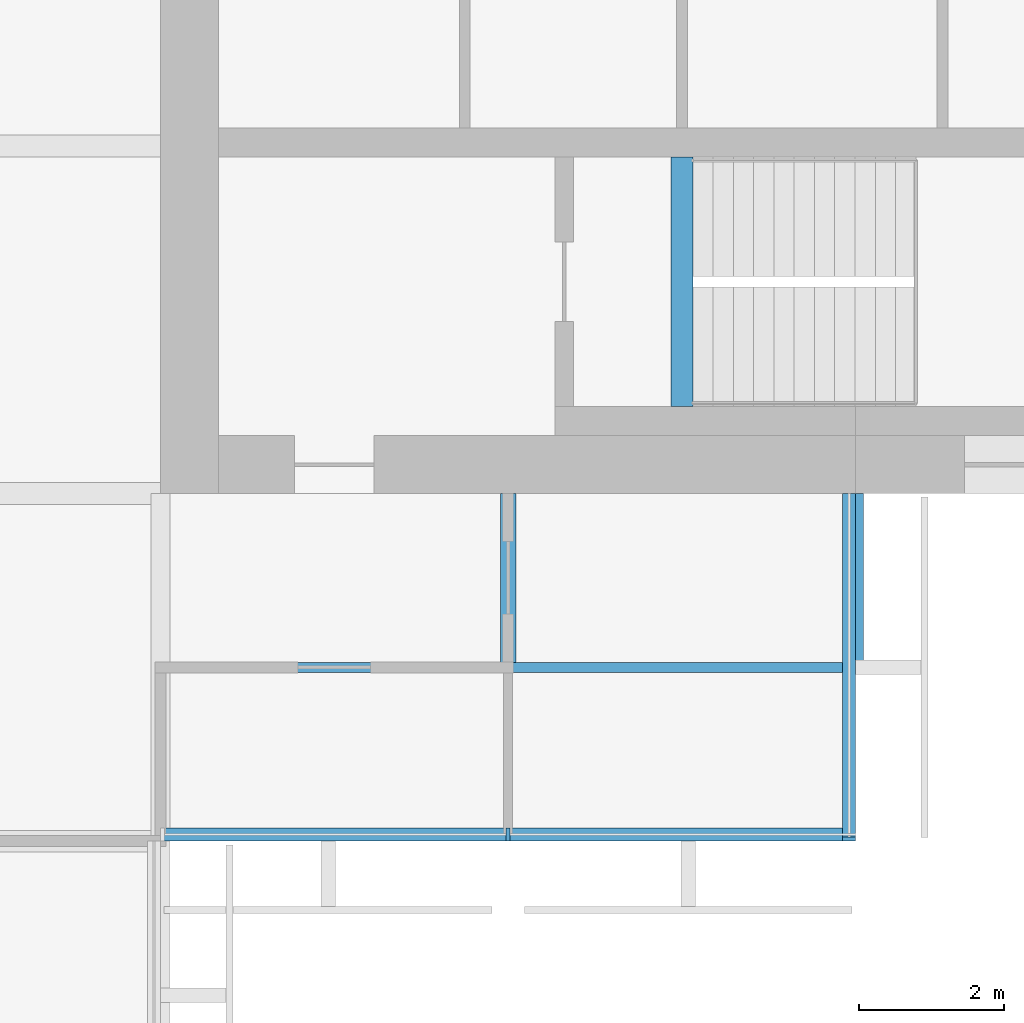
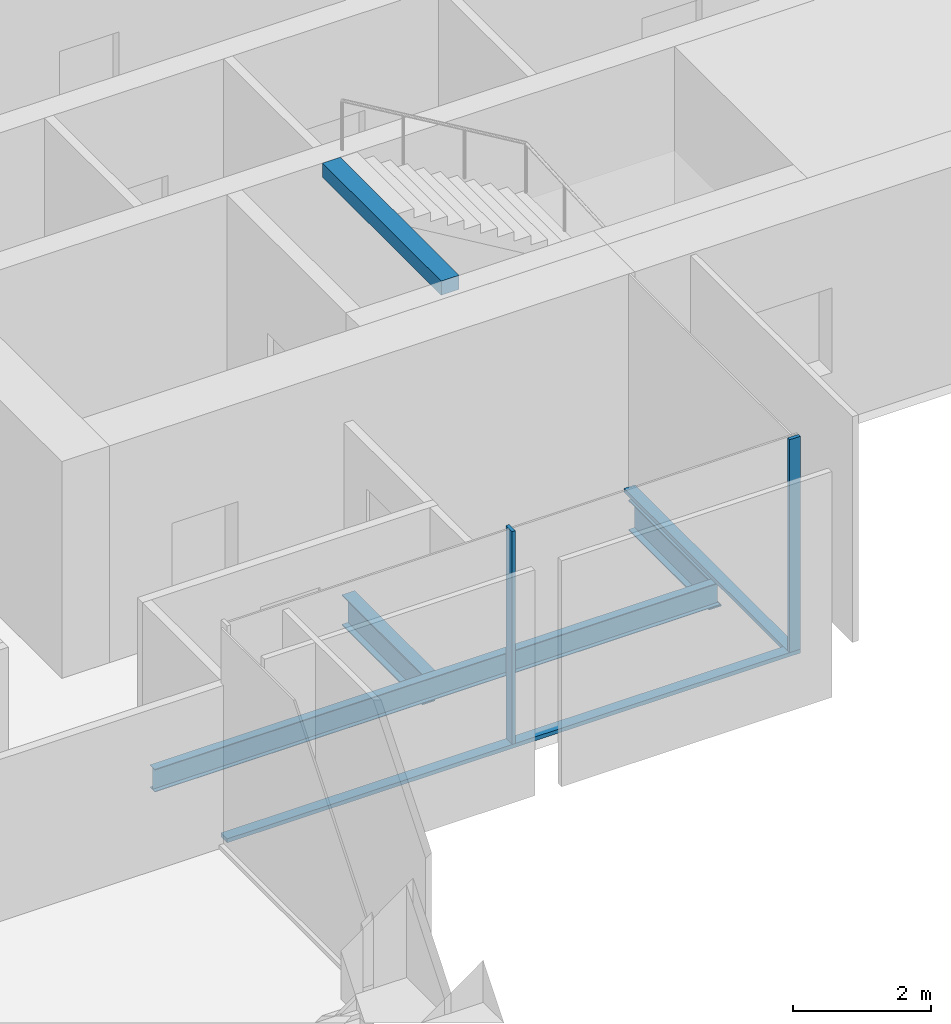
# One storey, part 4 of 13: 4 beams, 4 members, 2 elements without a shape of their own.
"""IFC4 building model written with IfcOpenShell, lengths in metres."""

from ifc_helpers import new_model, si_unit, direction, frame, origin, origin_2d, place, context, subcontext, project, spatial, rectangle, i_section, extrude, material, material_profile, profile_set, type_object, element, aggregate, save


model = new_model("IFC4")

# Units and contexts
model_context = context("Model", 3, precision=1e-05, world=origin(), true_north=direction((0.0, 1.0)))
body_context = subcontext(model_context, "Body", "Model", "MODEL_VIEW")
ifc_project = project(units=[si_unit("LENGTHUNIT", "METRE"), si_unit("AREAUNIT", "SQUARE_METRE"), si_unit("VOLUMEUNIT", "CUBIC_METRE"), si_unit("PLANEANGLEUNIT", "RADIAN"), si_unit("MASSUNIT", "GRAM", prefix="KILO")], contexts=[model_context])

# Site, building, storey
site_placement = place(None, origin())
site = spatial("IfcSite", under=ifc_project, at=site_placement, CompositionType="ELEMENT")
building_placement = place(site_placement, origin())
building = spatial("IfcBuilding", under=site, at=building_placement, Name="Baori Bourse Tower", CompositionType="ELEMENT")
storey_placement = place(building_placement, frame((0.0, 0.0, 225.199951171875)))
storey = spatial("IfcBuildingStorey", under=building, at=storey_placement, Name="L49", CompositionType="ELEMENT", Elevation=225.199951171875)

# Curtain wall, member
ifc_material_1 = material(Name="Pale anodised aluminium", Category="aluminium")
curtain_wall_type = type_object("IfcCurtainWallType", Name="CW2 Curtain wall", PredefinedType="NOTDEFINED", material=ifc_material_1)
curtain_wall_1_placement = place(storey_placement, origin())
curtain_wall_1 = element("IfcCurtainWall", 1, at=curtain_wall_1_placement, inside=storey, type_object=curtain_wall_type, Name="Curtain wall CW2 L49 13", PredefinedType="NOTDEFINED")
ifc_material_2 = material(Name="Pale anodised aluminium", Category="aluminium")
ifc_material_profile_1 = material_profile(ifc_material_2, rectangle(XDim=0.179931640625, YDim=0.054931640625, at=origin_2d()), Name="Mullion 55x180")
ifc_profile_set_1 = profile_set([ifc_material_profile_1], Name="Pale anodised aluminium")
member_type_1 = type_object("IfcMemberType", Name="CW2 Curtain wall mullion", PredefinedType="MULLION", material=ifc_profile_set_1)
member_1_placement = place(storey_placement, frame((43.199951171875, 4.889892578125, 0.070068359375), z_axis=(0.0, 0.0, 1.0), x_axis=(0.0, 1.0, 0.0)))
member_1 = element("IfcMember", 2, at=member_1_placement, type_object=member_type_1, Name="Curtain wall CW2 mullion", PredefinedType="MULLION", context=body_context, shape_type="SweptSolid", body=[
    extrude(rectangle(XDim=0.179931640625, YDim=0.054931640625, at=origin_2d()), origin(), (0.0, 0.0, 1.0), 3.77001953125),
])

curtain_wall_2_placement = place(storey_placement, origin())
curtain_wall_2 = element("IfcCurtainWall", 3, at=curtain_wall_2_placement, inside=storey, type_object=curtain_wall_type, Name="Curtain wall CW2 L49 14", PredefinedType="NOTDEFINED")
member_2_placement = place(storey_placement, frame((47.909912109375, 4.827392578125, 0.070068359375), z_axis=(0.0, 0.0, 1.0), x_axis=(-1.0, 0.0, 0.0)))
member_2 = element("IfcMember", 4, at=member_2_placement, type_object=member_type_1, Name="Curtain wall CW2 mullion", PredefinedType="MULLION", context=body_context, shape_type="SweptSolid", body=[
    extrude(rectangle(XDim=0.179931640625, YDim=0.054931640625, at=origin_2d()), origin(), (0.0, 0.0, 1.0), 3.77001953125),
])

# Member
ifc_material_3 = material(Name="Pale anodised aluminium", Category="aluminium")
ifc_material_profile_2 = material_profile(ifc_material_3, rectangle(XDim=0.179931640625, YDim=0.070068359375, at=origin_2d()), Name="Transom 70x180")
ifc_profile_set_2 = profile_set([ifc_material_profile_2], Name="Pale anodised aluminium")
member_type_2 = type_object("IfcMemberType", Name="CW2 Curtain wall transom", PredefinedType="USERDEFINED", material=ifc_profile_set_2)
member_3_placement = place(storey_placement, frame((38.39990234375, 4.889892578125, 0.03515625), z_axis=(1.0, 0.0, 0.0), x_axis=(0.0, 1.0, 0.0)))
member_3 = element("IfcMember", 5, at=member_3_placement, type_object=member_type_2, Name="Curtain wall CW2 sill rail", ObjectType="TRANSOM", PredefinedType="USERDEFINED", context=body_context, shape_type="SweptSolid", body=[
    extrude(rectangle(XDim=0.179931640625, YDim=0.070068359375, at=origin_2d()), origin(), (0.0, 0.0, 1.0), 9.60009765625),
])

aggregate(curtain_wall_1, [member_3, member_1])

member_4_placement = place(storey_placement, frame((47.909912109375, 4.800048828125, 0.03515625), z_axis=(0.0, 1.0, 0.0), x_axis=(-1.0, 0.0, 0.0)))
member_4 = element("IfcMember", 6, at=member_4_placement, type_object=member_type_2, Name="Curtain wall CW2 sill rail", ObjectType="TRANSOM", PredefinedType="USERDEFINED", context=body_context, shape_type="SweptSolid", body=[
    extrude(rectangle(XDim=0.179931640625, YDim=0.070068359375, at=origin_2d()), origin(), (0.0, 0.0, 1.0), 4.800048828125),
])

aggregate(curtain_wall_2, [member_4, member_2])

# Beams
ifc_material_4 = material(Name="Steel A992 Gr 50", Category="steel")
ifc_material_profile_3 = material_profile(ifc_material_4, i_section(OverallWidth=0.21240234375, OverallDepth=0.54345703125, WebThickness=0.01318359375, FlangeThickness=0.021240234375, at=origin_2d()), Name="W21x83")
ifc_profile_set_3 = profile_set([ifc_material_profile_3], Name="Steel A992 Gr 50")
beam_type_1 = type_object("IfcBeamType", Name="Core bracket W21x83", PredefinedType="BEAM", material=ifc_profile_set_3)
for number, where, z_axis, x_axis, name in (
    (7, (43.199951171875, 7.270263671875, -0.431640625), (0.0, 1.0, 0.0), (-1.0, 0.0, 0.0), "Core bracket L49"),
    (8, (48.0, 7.270263671875, -0.431640625), (0.0, 1.0, 0.0), (-1.0, 0.0, 0.0), "Core bracket L49"),
):
    element("IfcBeam", number, at=place(storey_placement, frame(where, z_axis=z_axis, x_axis=x_axis)), inside=storey, type_object=beam_type_1, Name=name, PredefinedType="BEAM", context=body_context, shape_type="SweptSolid", body=[
        extrude(i_section(OverallWidth=0.21240234375, OverallDepth=0.54345703125, WebThickness=0.01318359375, FlangeThickness=0.021240234375, at=origin_2d()), origin(), (0.0, 0.0, 1.0), 2.329833984375),
    ])
ifc_material_5 = material(Name="Concrete f'c 50 MPa", Category="concrete")
ifc_material_profile_4 = material_profile(ifc_material_5, rectangle(XDim=0.300048828125, YDim=0.25, at=origin_2d()), Name="RC 300x250")
ifc_profile_set_4 = profile_set([ifc_material_profile_4], Name="Concrete f'c 50 MPa")
beam_type_2 = type_object("IfcBeamType", Name="Stair nib beam RC 300x250", PredefinedType="BEAM", material=ifc_profile_set_4)
beam_1_placement = place(storey_placement, frame((45.60009765625, 10.800048828125, 3.715087890625), z_axis=(0.0, 1.0, 0.0), x_axis=(-1.0, 0.0, 0.0)))
element("IfcBeam", 9, at=beam_1_placement, inside=storey, type_object=beam_type_2, Name="Stair EA nib beam L50", PredefinedType="BEAM", context=body_context, shape_type="SweptSolid", body=[
    extrude(rectangle(XDim=0.300048828125, YDim=0.25, at=origin_2d()), origin(), (0.0, 0.0, 1.0), 3.449951171875),
])
ifc_material_6 = material(Name="Steel A992 Gr 50", Category="steel")
ifc_material_profile_5 = material_profile(ifc_material_6, i_section(OverallWidth=0.140380859375, OverallDepth=0.40380859375, WebThickness=0.007080078125, FlangeThickness=0.01123046875, at=origin_2d()), Name="W16x31")
ifc_profile_set_5 = profile_set([ifc_material_profile_5], Name="Steel A992 Gr 50")
beam_type_3 = type_object("IfcBeamType", Name="Trimmer beam W16x31", PredefinedType="BEAM", material=ifc_profile_set_5)
beam_2_placement = place(storey_placement, frame((38.533447265625, 7.199951171875, -0.36181640625), z_axis=(1.0, 0.0, 0.0), x_axis=(0.0, 1.0, 0.0)))
element("IfcBeam", 10, at=beam_2_placement, inside=storey, type_object=beam_type_3, Name="Trimmer beam L49", PredefinedType="BEAM", context=body_context, shape_type="SweptSolid", body=[
    extrude(i_section(OverallWidth=0.140380859375, OverallDepth=0.40380859375, WebThickness=0.007080078125, FlangeThickness=0.01123046875, at=origin_2d()), origin(), (0.0, 0.0, 1.0), 9.466552734375),
])

save(model, "model.ifc")
